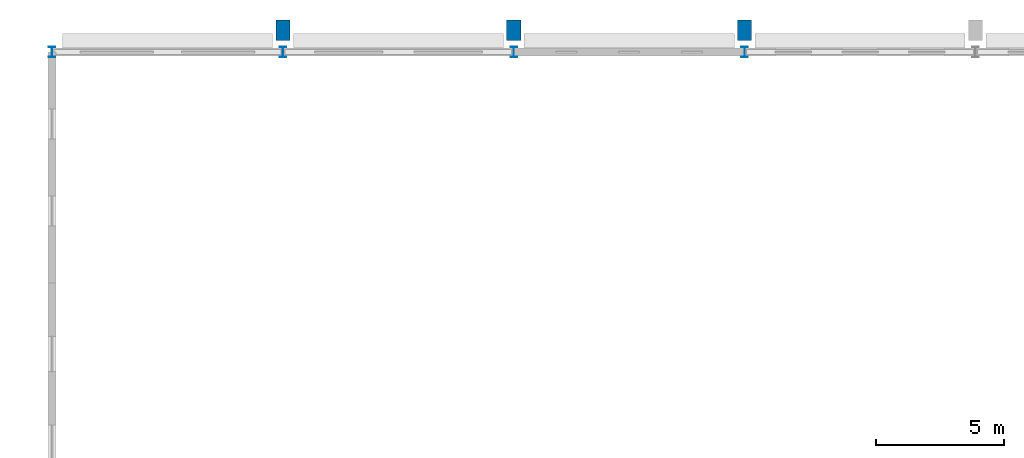
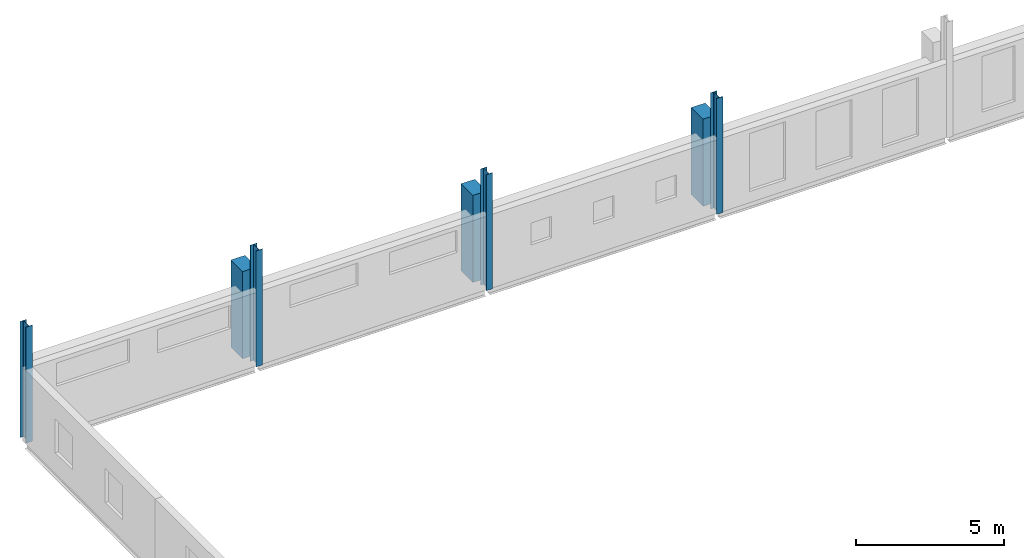
# One storey, part 22 of 132: 7 columns.
"""IFC4 building model written with IfcOpenShell, lengths in metres."""

from ifc_helpers import new_model, si_unit, direction, frame, origin, origin_2d, place, context, subcontext, project, spatial, rectangle, i_section, extrude, material, material_profile, profile_set, type_object, element, save


model = new_model("IFC4")

# Units and contexts
model_context = context("Model", 3, precision=1e-05, world=origin(), true_north=direction((0.0, 1.0)))
body_context = subcontext(model_context, "Body", "Model", "MODEL_VIEW")
ifc_project = project(units=[si_unit("LENGTHUNIT", "METRE"), si_unit("AREAUNIT", "SQUARE_METRE"), si_unit("VOLUMEUNIT", "CUBIC_METRE"), si_unit("PLANEANGLEUNIT", "RADIAN"), si_unit("MASSUNIT", "GRAM", prefix="KILO")], contexts=[model_context])

# Site, building, storey
site_placement = place(None, origin())
site = spatial("IfcSite", under=ifc_project, at=site_placement, CompositionType="ELEMENT")
building_placement = place(site_placement, origin())
building = spatial("IfcBuilding", under=site, at=building_placement, Name="Tharagai Park Tramway Depot", CompositionType="ELEMENT")
storey_placement = place(building_placement, frame((0.0, 0.0, 4.800048828125)))
storey = spatial("IfcBuildingStorey", under=building, at=storey_placement, Name="L01", CompositionType="ELEMENT", Elevation=4.800048828125)

# Columns
ifc_material_1 = material(Name="Steel E350", Category="steel")
ifc_material_profile_1 = material_profile(ifc_material_1, i_section(OverallWidth=0.25, OverallDepth=0.39990234375, WebThickness=0.010498046875, FlangeThickness=0.0126953125, FilletRadius=0.013916015625, at=origin_2d()), Name="ISHB 400")
ifc_profile_set_1 = profile_set([ifc_material_profile_1], Name="Steel E350")
column_type_1 = type_object("IfcColumnType", Name="CL-06", PredefinedType="COLUMN", material=ifc_profile_set_1)
for number, where, z_axis, x_axis, name in (
    (1, (0.0, 144.0, 0.0), (0.0, 0.0, 1.0), (1.0, 0.0, 0.0), "Shed Stanchion CL-06 (0,144)"),
    (2, (9.0, 144.0, 0.0), (0.0, 0.0, 1.0), (1.0, 0.0, 0.0), "Shed Stanchion CL-06 (9,144)"),
    (3, (18.0, 144.0, 0.0), (0.0, 0.0, 1.0), (1.0, 0.0, 0.0), "Shed Stanchion CL-06 (18,144)"),
    (4, (27.0, 144.0, 0.0), (0.0, 0.0, 1.0), (1.0, 0.0, 0.0), "Shed Stanchion CL-06 (27,144)"),
):
    element("IfcColumn", number, at=place(storey_placement, frame(where, z_axis=z_axis, x_axis=x_axis)), inside=storey, type_object=column_type_1, Name=name, PredefinedType="COLUMN", context=body_context, shape_type="SweptSolid", body=[
        extrude(i_section(OverallWidth=0.25, OverallDepth=0.39990234375, WebThickness=0.010498046875, FlangeThickness=0.0126953125, FilletRadius=0.013916015625, at=origin_2d()), origin(), (0.0, 0.0, 1.0), 4.800048828125),
    ])
ifc_material_2 = material(Name="Concrete M40", Category="concrete")
ifc_material_profile_2 = material_profile(ifc_material_2, rectangle(XDim=0.550048828125, YDim=0.800048828125, at=origin_2d()), Name="RC 550x800")
ifc_profile_set_2 = profile_set([ifc_material_profile_2], Name="Concrete M40")
column_type_2 = type_object("IfcColumnType", Name="PL-02", PredefinedType="PILASTER", material=ifc_profile_set_2)
for number, where, z_axis, x_axis, name in (
    (5, (9.0, 144.85009765625, 0.0), (0.0, 0.0, 1.0), (1.0, 0.0, 0.0), "L01 Stepped Gothic Buttress PL-02 N-009"),
    (6, (18.0, 144.85009765625, 0.0), (0.0, 0.0, 1.0), (1.0, 0.0, 0.0), "L01 Stepped Gothic Buttress PL-02 N-018"),
    (7, (27.0, 144.85009765625, 0.0), (0.0, 0.0, 1.0), (1.0, 0.0, 0.0), "L01 Stepped Gothic Buttress PL-02 N-027"),
):
    element("IfcColumn", number, at=place(storey_placement, frame(where, z_axis=z_axis, x_axis=x_axis)), inside=storey, type_object=column_type_2, Name=name, PredefinedType="PILASTER", context=body_context, shape_type="SweptSolid", body=[
        extrude(rectangle(XDim=0.550048828125, YDim=0.800048828125, at=origin_2d()), origin(), (0.0, 0.0, 1.0), 3.599853515625),
    ])

save(model, "model.ifc")
